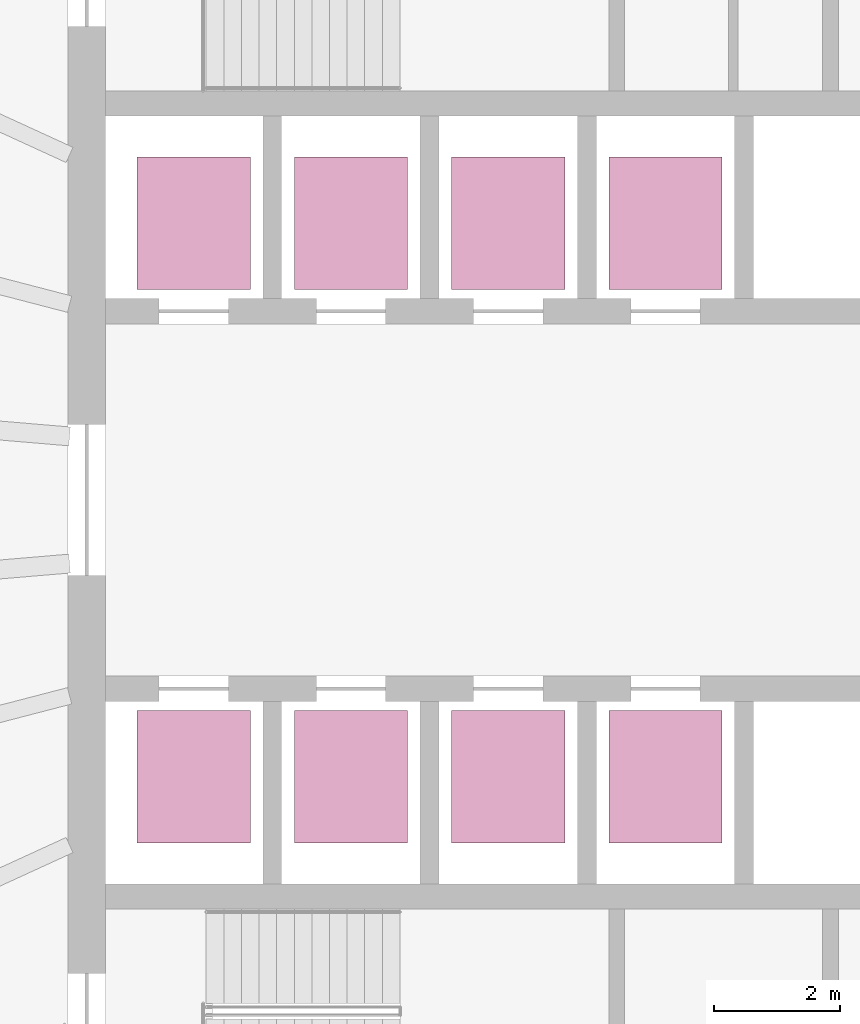
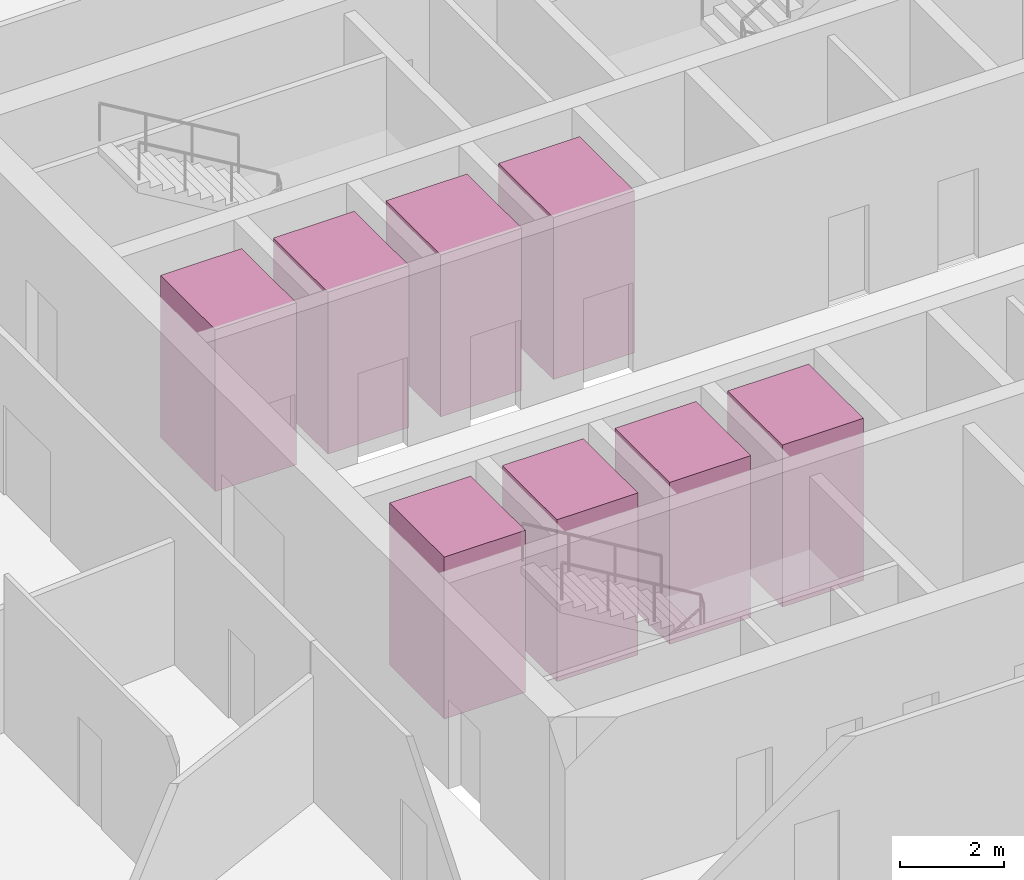
# One storey, part 11 of 11: 8 transport elements.
"""IFC4 building model written with IfcOpenShell, lengths in metres."""

from ifc_helpers import new_model, si_unit, direction, frame, origin, origin_2d, place, context, subcontext, project, spatial, rectangle, extrude, material, type_object, element, save


model = new_model("IFC4")

# Units and contexts
model_context = context("Model", 3, precision=1e-05, world=origin(), true_north=direction((0.0, 1.0)))
body_context = subcontext(model_context, "Body", "Model", "MODEL_VIEW")
ifc_project = project(units=[si_unit("LENGTHUNIT", "METRE"), si_unit("AREAUNIT", "SQUARE_METRE"), si_unit("VOLUMEUNIT", "CUBIC_METRE"), si_unit("PLANEANGLEUNIT", "RADIAN"), si_unit("MASSUNIT", "GRAM", prefix="KILO")], contexts=[model_context])

# Site, building, storey
site_placement = place(None, origin())
site = spatial("IfcSite", under=ifc_project, at=site_placement, CompositionType="ELEMENT")
building_placement = place(site_placement, origin())
building = spatial("IfcBuilding", under=site, at=building_placement, Name="Halqa Exchange Tower", CompositionType="ELEMENT")
storey_placement = place(building_placement, frame((0.0, 0.0, 226.89990234375)))
storey = spatial("IfcBuildingStorey", under=building, at=storey_placement, Name="L52", CompositionType="ELEMENT", Elevation=226.89990234375)

# Transport elements
ifc_material = material(Name="Stainless steel", Category="steel")
transport_element_type_1 = type_object("IfcTransportElementType", Name="High-rise passenger lift 1800 x 2100", PredefinedType="ELEVATOR", material=ifc_material)
for number, where, z_axis, x_axis, name in (
    (1, (-10.0, 4.39990234375, 0.0), (0.0, 0.0, 1.0), (1.0, 0.0, 0.0), "High-rise passenger lift HR1"),
    (2, (-7.5, 4.39990234375, 0.0), (0.0, 0.0, 1.0), (1.0, 0.0, 0.0), "High-rise passenger lift HR2"),
    (3, (-10.0, -4.39990234375, 0.0), (0.0, 0.0, 1.0), (1.0, 0.0, 0.0), "High-rise passenger lift HR3"),
    (4, (-7.5, -4.39990234375, 0.0), (0.0, 0.0, 1.0), (1.0, 0.0, 0.0), "High-rise passenger lift HR4"),
):
    element("IfcTransportElement", number, at=place(storey_placement, frame(where, z_axis=z_axis, x_axis=x_axis)), inside=storey, type_object=transport_element_type_1, Name=name, PredefinedType="ELEVATOR", context=body_context, shape_type="SweptSolid", body=[
        extrude(rectangle(XDim=1.800048828125, YDim=2.10009765625, at=origin_2d()), origin(), (0.0, 0.0, 1.0), 3.800048828125),
    ])
transport_element_type_2 = type_object("IfcTransportElementType", Name="Mid-rise passenger lift 1800 x 2100", PredefinedType="ELEVATOR", material=ifc_material)
for number, where, z_axis, x_axis, name in (
    (5, (-5.0, 4.39990234375, 0.0), (0.0, 0.0, 1.0), (1.0, 0.0, 0.0), "Mid-rise passenger lift MR1"),
    (6, (-2.5, 4.39990234375, 0.0), (0.0, 0.0, 1.0), (1.0, 0.0, 0.0), "Mid-rise passenger lift MR2"),
    (7, (-5.0, -4.39990234375, 0.0), (0.0, 0.0, 1.0), (1.0, 0.0, 0.0), "Mid-rise passenger lift MR3"),
    (8, (-2.5, -4.39990234375, 0.0), (0.0, 0.0, 1.0), (1.0, 0.0, 0.0), "Mid-rise passenger lift MR4"),
):
    element("IfcTransportElement", number, at=place(storey_placement, frame(where, z_axis=z_axis, x_axis=x_axis)), inside=storey, type_object=transport_element_type_2, Name=name, PredefinedType="ELEVATOR", context=body_context, shape_type="SweptSolid", body=[
        extrude(rectangle(XDim=1.800048828125, YDim=2.10009765625, at=origin_2d()), origin(), (0.0, 0.0, 1.0), 3.800048828125),
    ])

save(model, "model.ifc")
